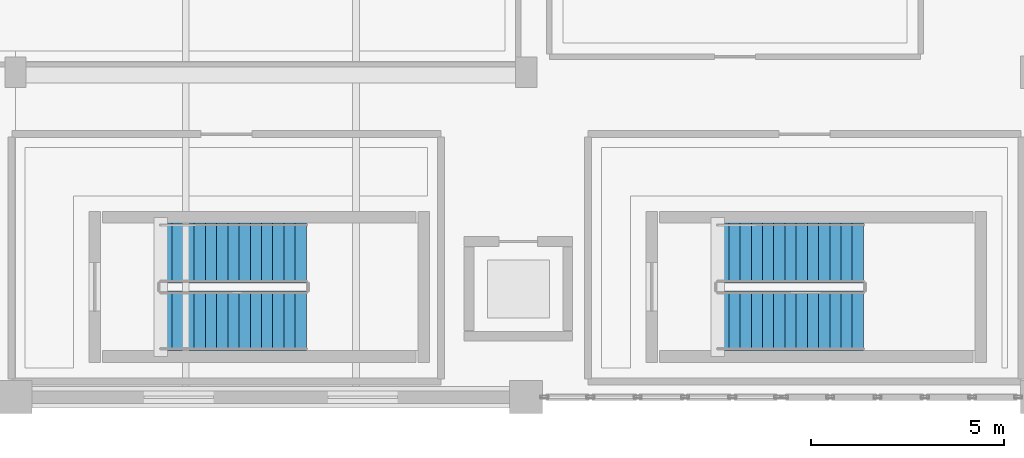
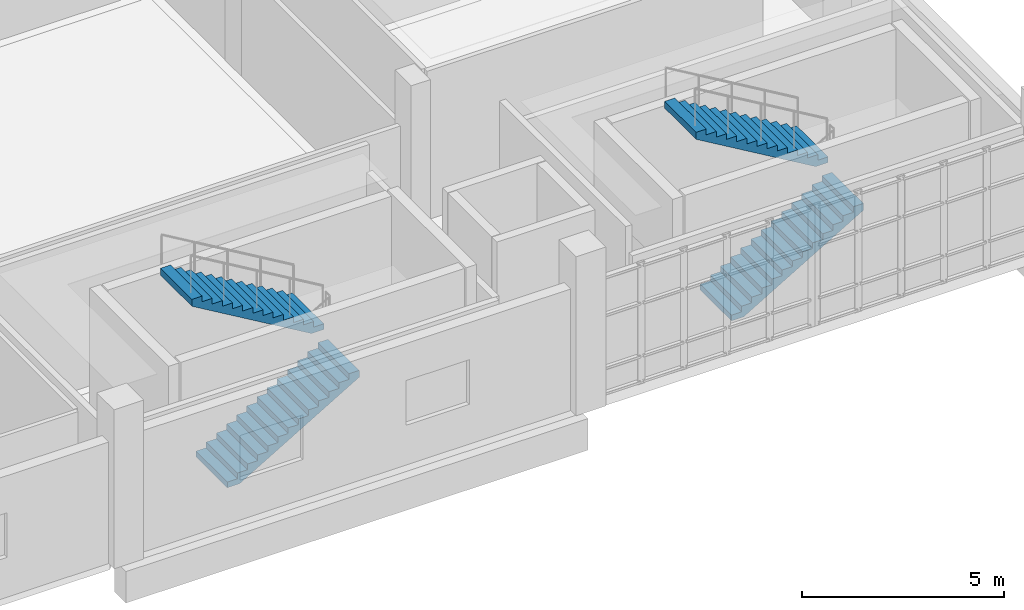
# One storey, part 74 of 97: 4 stair flights, 2 elements without a shape of their own.
"""IFC4 building model written with IfcOpenShell, lengths in metres."""

from ifc_helpers import new_model, si_unit, direction, frame, origin, place, context, subcontext, project, spatial, polyline, outline, extrude, material, type_object, element, aggregate, save


model = new_model("IFC4")

# Units and contexts
model_context = context("Model", 3, precision=1e-05, world=origin(), true_north=direction((0.0, 1.0)))
body_context = subcontext(model_context, "Body", "Model", "MODEL_VIEW")
ifc_project = project(units=[si_unit("LENGTHUNIT", "METRE"), si_unit("AREAUNIT", "SQUARE_METRE"), si_unit("VOLUMEUNIT", "CUBIC_METRE"), si_unit("PLANEANGLEUNIT", "RADIAN"), si_unit("MASSUNIT", "GRAM", prefix="KILO")], contexts=[model_context])

# Site, building, storey
site_placement = place(None, origin())
site = spatial("IfcSite", under=ifc_project, at=site_placement, CompositionType="ELEMENT")
building_placement = place(site_placement, origin())
building = spatial("IfcBuilding", under=site, at=building_placement, Name="Kisaragi Civic Commons", CompositionType="ELEMENT")
storey_placement = place(building_placement, origin())
storey = spatial("IfcBuildingStorey", under=building, at=storey_placement, Name="L00", CompositionType="ELEMENT", Elevation=0.0)

# Stair, stair flights
ifc_material = material(Name="Concrete Fc30", Category="concrete")
stair_type = type_object("IfcStairType", Name="ST-A", PredefinedType="HALF_TURN_STAIR", material=ifc_material)
stair_1_placement = place(storey_placement, origin())
stair_1 = element("IfcStair", 1, at=stair_1_placement, inside=storey, type_object=stair_type, Name="L00 Stair ST-D1", PredefinedType="HALF_TURN_STAIR")
stair_flight_type = type_object("IfcStairFlightType", Name="STF-A", PredefinedType="STRAIGHT", material=ifc_material)
stair_flight_1_placement = place(storey_placement, frame((150.14990234375, 1.97509765625, 0.0), z_axis=(0.0, 0.0, 1.0), x_axis=(1.0, 0.0, 0.0)))
stair_flight_1 = element("IfcStairFlight", 2, at=stair_flight_1_placement, type_object=stair_flight_type, Name="ST-D1 flight 1", NumberOfRisers=14, NumberOfTreads=13, PredefinedType="STRAIGHT", RiserHeight=0.171428571, TreadLength=0.29, context=body_context, shape_type="SweptSolid", body=[
    extrude(outline(polyline([(0.0, 0.0), (0.0, 0.17138671875), (0.2900390625, 0.17138671875), (0.2900390625, 0.3427734375), (0.580078125, 0.3427734375), (0.580078125, 0.514404296875), (0.8701171875, 0.514404296875), (0.8701171875, 0.685791015625), (1.159912109375, 0.685791015625), (1.159912109375, 0.857177734375), (1.449951171875, 0.857177734375), (1.449951171875, 1.028564453125), (1.739990234375, 1.028564453125), (1.739990234375, 1.199951171875), (2.030029296875, 1.199951171875), (2.030029296875, 1.371337890625), (2.320068359375, 1.371337890625), (2.320068359375, 1.54296875), (2.610107421875, 1.54296875), (2.610107421875, 1.71435546875), (2.89990234375, 1.71435546875), (2.89990234375, 1.8857421875), (3.18994140625, 1.8857421875), (3.18994140625, 2.05712890625), (3.47998046875, 2.05712890625), (3.47998046875, 2.228515625), (3.77001953125, 2.228515625), (3.77001953125, 2.39990234375), (3.77001953125, 2.01953125), (0.353515625, 0.0), (0.0, 0.0)])), frame((0.0, 0.77490234375, 0.0), z_axis=(0.0, -1.0, 0.0), x_axis=(1.0, 0.0, 0.0)), (0.0, 0.0, 1.0), 1.550048828125),
])
stair_flight_2_placement = place(storey_placement, frame((153.919921875, 3.72509765625, 2.39990234375), z_axis=(0.0, 0.0, 1.0), x_axis=(-1.0, 0.0, 0.0)))
stair_flight_2 = element("IfcStairFlight", 3, at=stair_flight_2_placement, type_object=stair_flight_type, Name="ST-D1 flight 2", NumberOfRisers=14, NumberOfTreads=13, PredefinedType="STRAIGHT", RiserHeight=0.171428571, TreadLength=0.29, context=body_context, shape_type="SweptSolid", body=[
    extrude(outline(polyline([(0.0, 0.0), (0.0, 0.17138671875), (0.2900390625, 0.17138671875), (0.2900390625, 0.3427734375), (0.580078125, 0.3427734375), (0.580078125, 0.514404296875), (0.8701171875, 0.514404296875), (0.8701171875, 0.685791015625), (1.159912109375, 0.685791015625), (1.159912109375, 0.857177734375), (1.449951171875, 0.857177734375), (1.449951171875, 1.028564453125), (1.739990234375, 1.028564453125), (1.739990234375, 1.199951171875), (2.030029296875, 1.199951171875), (2.030029296875, 1.371337890625), (2.320068359375, 1.371337890625), (2.320068359375, 1.54296875), (2.610107421875, 1.54296875), (2.610107421875, 1.71435546875), (2.89990234375, 1.71435546875), (2.89990234375, 1.8857421875), (3.18994140625, 1.8857421875), (3.18994140625, 2.05712890625), (3.47998046875, 2.05712890625), (3.47998046875, 2.228515625), (3.77001953125, 2.228515625), (3.77001953125, 2.39990234375), (3.77001953125, 2.01953125), (0.353515625, 0.0), (0.0, 0.0)])), frame((0.0, 0.77490234375, 0.0), z_axis=(0.0, -1.0, 0.0), x_axis=(1.0, 0.0, 0.0)), (0.0, 0.0, 1.0), 1.550048828125),
])
aggregate(stair_1, [stair_flight_1, stair_flight_2])

stair_2_placement = place(storey_placement, origin())
stair_2 = element("IfcStair", 4, at=stair_2_placement, inside=storey, type_object=stair_type, Name="L00 Stair ST-D2", PredefinedType="HALF_TURN_STAIR")
stair_flight_3_placement = place(storey_placement, frame((164.550048828125, 1.97509765625, 0.0), z_axis=(0.0, 0.0, 1.0), x_axis=(1.0, 0.0, 0.0)))
stair_flight_3 = element("IfcStairFlight", 5, at=stair_flight_3_placement, type_object=stair_flight_type, Name="ST-D2 flight 1", NumberOfRisers=14, NumberOfTreads=13, PredefinedType="STRAIGHT", RiserHeight=0.171428571, TreadLength=0.29, context=body_context, shape_type="SweptSolid", body=[
    extrude(outline(polyline([(0.0, 0.0), (0.0, 0.17138671875), (0.2900390625, 0.17138671875), (0.2900390625, 0.3427734375), (0.580078125, 0.3427734375), (0.580078125, 0.514404296875), (0.8701171875, 0.514404296875), (0.8701171875, 0.685791015625), (1.159912109375, 0.685791015625), (1.159912109375, 0.857177734375), (1.449951171875, 0.857177734375), (1.449951171875, 1.028564453125), (1.739990234375, 1.028564453125), (1.739990234375, 1.199951171875), (2.030029296875, 1.199951171875), (2.030029296875, 1.371337890625), (2.320068359375, 1.371337890625), (2.320068359375, 1.54296875), (2.610107421875, 1.54296875), (2.610107421875, 1.71435546875), (2.89990234375, 1.71435546875), (2.89990234375, 1.8857421875), (3.18994140625, 1.8857421875), (3.18994140625, 2.05712890625), (3.47998046875, 2.05712890625), (3.47998046875, 2.228515625), (3.77001953125, 2.228515625), (3.77001953125, 2.39990234375), (3.77001953125, 2.01953125), (0.353515625, 0.0), (0.0, 0.0)])), frame((0.0, 0.77490234375, 0.0), z_axis=(0.0, -1.0, 0.0), x_axis=(1.0, 0.0, 0.0)), (0.0, 0.0, 1.0), 1.550048828125),
])
stair_flight_4_placement = place(storey_placement, frame((168.320068359375, 3.72509765625, 2.39990234375), z_axis=(0.0, 0.0, 1.0), x_axis=(-1.0, 0.0, 0.0)))
stair_flight_4 = element("IfcStairFlight", 6, at=stair_flight_4_placement, type_object=stair_flight_type, Name="ST-D2 flight 2", NumberOfRisers=14, NumberOfTreads=13, PredefinedType="STRAIGHT", RiserHeight=0.171428571, TreadLength=0.29, context=body_context, shape_type="SweptSolid", body=[
    extrude(outline(polyline([(0.0, 0.0), (0.0, 0.17138671875), (0.2900390625, 0.17138671875), (0.2900390625, 0.3427734375), (0.580078125, 0.3427734375), (0.580078125, 0.514404296875), (0.8701171875, 0.514404296875), (0.8701171875, 0.685791015625), (1.159912109375, 0.685791015625), (1.159912109375, 0.857177734375), (1.449951171875, 0.857177734375), (1.449951171875, 1.028564453125), (1.739990234375, 1.028564453125), (1.739990234375, 1.199951171875), (2.030029296875, 1.199951171875), (2.030029296875, 1.371337890625), (2.320068359375, 1.371337890625), (2.320068359375, 1.54296875), (2.610107421875, 1.54296875), (2.610107421875, 1.71435546875), (2.89990234375, 1.71435546875), (2.89990234375, 1.8857421875), (3.18994140625, 1.8857421875), (3.18994140625, 2.05712890625), (3.47998046875, 2.05712890625), (3.47998046875, 2.228515625), (3.77001953125, 2.228515625), (3.77001953125, 2.39990234375), (3.77001953125, 2.01953125), (0.353515625, 0.0), (0.0, 0.0)])), frame((0.0, 0.77490234375, 0.0), z_axis=(0.0, -1.0, 0.0), x_axis=(1.0, 0.0, 0.0)), (0.0, 0.0, 1.0), 1.550048828125),
])
aggregate(stair_2, [stair_flight_3, stair_flight_4])

save(model, "model.ifc")
